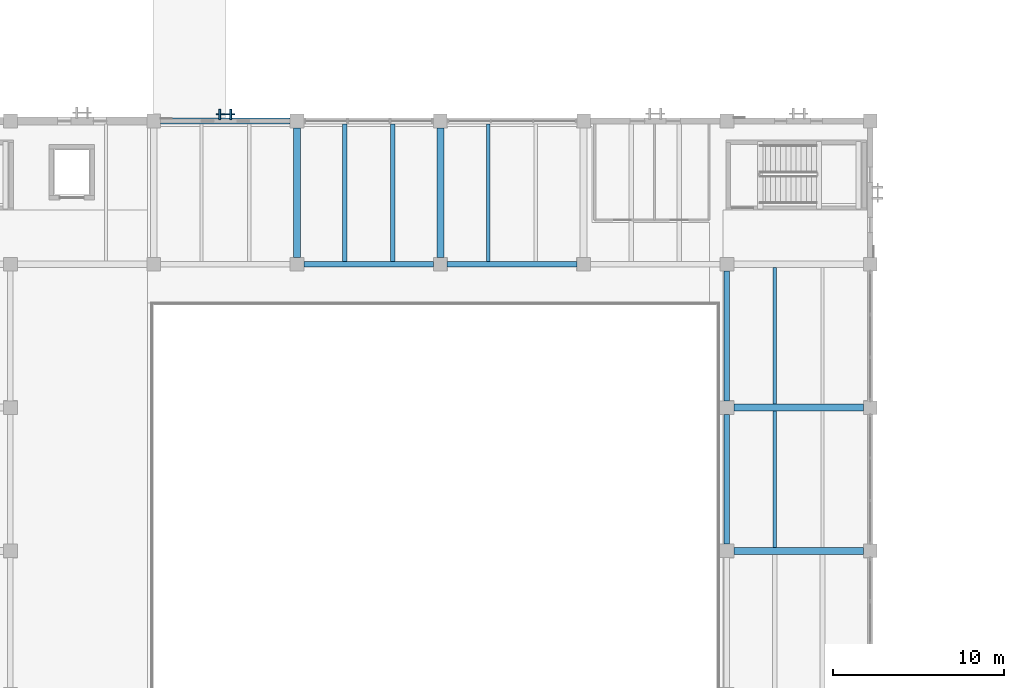
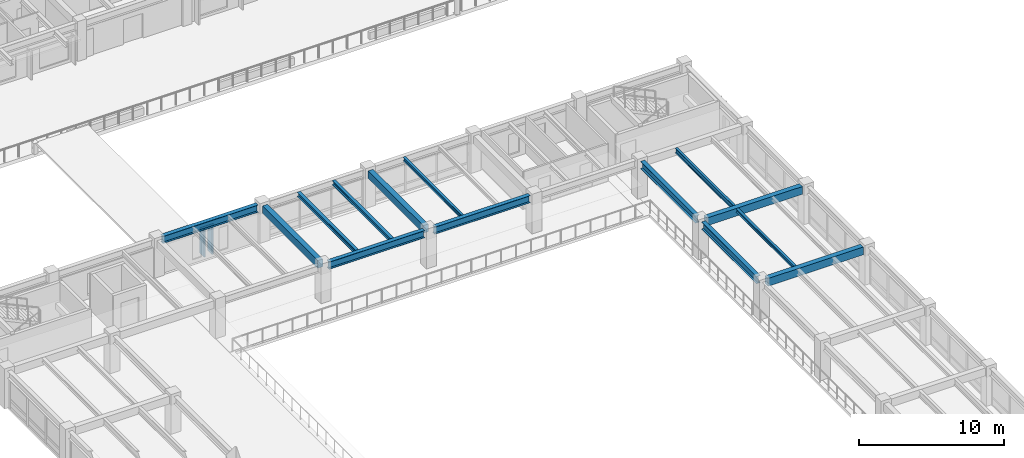
# One storey, part 11 of 111: 14 beams, 3 members, 1 element without a shape of its own.
"""IFC4 building model written with IfcOpenShell, lengths in metres."""

from ifc_helpers import new_model, si_unit, direction, frame, origin, origin_2d, place, context, subcontext, project, spatial, rectangle, i_section, extrude, material, material_profile, profile_set, type_object, element, aggregate, save


model = new_model("IFC4")

# Units and contexts
model_context = context("Model", 3, precision=1e-05, world=origin(), true_north=direction((0.0, 1.0)))
body_context = subcontext(model_context, "Body", "Model", "MODEL_VIEW")
ifc_project = project(units=[si_unit("LENGTHUNIT", "METRE"), si_unit("AREAUNIT", "SQUARE_METRE"), si_unit("VOLUMEUNIT", "CUBIC_METRE"), si_unit("PLANEANGLEUNIT", "RADIAN"), si_unit("MASSUNIT", "GRAM", prefix="KILO")], contexts=[model_context])

# Site, building, storey
site_placement = place(None, origin())
site = spatial("IfcSite", under=ifc_project, at=site_placement, CompositionType="ELEMENT")
building_placement = place(site_placement, origin())
building = spatial("IfcBuilding", under=site, at=building_placement, Name="Cumbredor Promenade Congress Hotel", CompositionType="ELEMENT")
storey_placement = place(building_placement, frame((0.0, 0.0, 15.1201171875)))
storey = spatial("IfcBuildingStorey", under=building, at=storey_placement, Name="L04", CompositionType="ELEMENT", Elevation=15.1201171875)

# Beams
ifc_material_1 = material(Name="Concrete C40/50", Category="concrete")
ifc_material_profile_1 = material_profile(ifc_material_1, rectangle(XDim=0.39990234375, YDim=0.64990234375, at=origin_2d()), Name="RC BEAM 400x650")
ifc_profile_set_1 = profile_set([ifc_material_profile_1], Name="Concrete C40/50")
beam_type_1 = type_object("IfcBeamType", Name="BM-RC-400x650", PredefinedType="BEAM", material=ifc_profile_set_1)
for number, where, z_axis, x_axis, name in (
    (1, (33.60009765625, 59.199951171875, 2.794921875), (0.0, 1.0, 0.0), (-1.0, 0.0, 0.0), "L05 Y-Grid Beam 058"),
    (2, (42.0, 59.199951171875, 2.794921875), (0.0, 1.0, 0.0), (-1.0, 0.0, 0.0), "L05 Y-Grid Beam 069"),
    (3, (59.199951171875, 42.0, 2.794921875), (1.0, 0.0, 0.0), (0.0, 1.0, 0.0), "L05 X-Grid Beam 096"),
    (4, (59.199951171875, 50.39990234375, 2.794921875), (1.0, 0.0, 0.0), (0.0, 1.0, 0.0), "L05 X-Grid Beam 098"),
):
    element("IfcBeam", number, at=place(storey_placement, frame(where, z_axis=z_axis, x_axis=x_axis)), inside=storey, type_object=beam_type_1, Name=name, PredefinedType="BEAM", context=body_context, shape_type="SweptSolid", body=[
        extrude(rectangle(XDim=0.39990234375, YDim=0.64990234375, at=origin_2d()), origin(), (0.0, 0.0, 1.0), 7.60009765625),
    ])
ifc_material_2 = material(Name="Steel ASTM A992 Grade 50", Category="steel")
ifc_material_profile_2 = material_profile(ifc_material_2, i_section(OverallWidth=0.323974609375, OverallDepth=0.611083984375, WebThickness=0.0126953125, FlangeThickness=0.01904296875, at=origin_2d()), Name="W24X104")
ifc_profile_set_2 = profile_set([ifc_material_profile_2], Name="Steel ASTM A992 Grade 50")
beam_type_2 = type_object("IfcBeamType", Name="BM-W24X104", PredefinedType="BEAM", material=ifc_profile_set_2)
beam_1_placement = place(storey_placement, frame((25.60009765625, 67.199951171875, 2.814453125), z_axis=(1.0, 0.0, 0.0), x_axis=(0.0, 1.0, 0.0)))
element("IfcBeam", 5, at=beam_1_placement, inside=storey, type_object=beam_type_2, Name="L05 X-Grid Beam 049", PredefinedType="BEAM", context=body_context, shape_type="SweptSolid", body=[
    extrude(i_section(OverallWidth=0.323974609375, OverallDepth=0.611083984375, WebThickness=0.0126953125, FlangeThickness=0.01904296875, at=origin_2d()), origin(), (0.0, 0.0, 1.0), 7.599853515625),
])
for number, where, z_axis, x_axis, name in (
    (6, (34.0, 58.800048828125, 2.814453125), (1.0, 0.0, 0.0), (0.0, 1.0, 0.0), "L05 X-Grid Beam 057"),
    (7, (42.39990234375, 58.800048828125, 2.814453125), (1.0, 0.0, 0.0), (0.0, 1.0, 0.0), "L05 X-Grid Beam 068"),
):
    element("IfcBeam", number, at=place(storey_placement, frame(where, z_axis=z_axis, x_axis=x_axis)), inside=storey, type_object=beam_type_2, Name=name, PredefinedType="BEAM", context=body_context, shape_type="SweptSolid", body=[
        extrude(i_section(OverallWidth=0.323974609375, OverallDepth=0.611083984375, WebThickness=0.0126953125, FlangeThickness=0.01904296875, at=origin_2d()), origin(), (0.0, 0.0, 1.0), 7.60009765625),
    ])

# Curtain wall, member
ifc_material_3 = material(Name="Thermally broken anodized aluminium and low-E glass", Category="aluminium")
curtain_wall_type = type_object("IfcCurtainWallType", Name="Solar Brise-Soleil Screen Assembly CW-07", PredefinedType="NOTDEFINED", material=ifc_material_3)
curtain_wall_placement = place(storey_placement, origin())
curtain_wall = element("IfcCurtainWall", 8, at=curtain_wall_placement, inside=storey, type_object=curtain_wall_type, Name="L04 Pier Brise-Soleil Screen 0715", PredefinedType="NOTDEFINED")
ifc_material_4 = material(Name="Thermally broken anodized aluminium", Category="aluminium")
ifc_material_profile_3 = material_profile(ifc_material_4, rectangle(XDim=0.06494140625, YDim=0.1298828125, at=origin_2d()), Name="ALU TRANSOM 65x130")
ifc_profile_set_3 = profile_set([ifc_material_profile_3], Name="Thermally broken anodized aluminium")
member_type_1 = type_object("IfcMemberType", Name="Curtain Wall Transom TR-01", PredefinedType="USERDEFINED", material=ifc_profile_set_3)
member_1_placement = place(storey_placement, frame((28.85009765625, 67.590087890625, 2.333984375), z_axis=(1.0, 0.0, 0.0), x_axis=(0.0, 1.0, 0.0)))
member_1 = element("IfcMember", 9, at=member_1_placement, type_object=member_type_1, Name="L04 Pier Brise-Soleil Header 0717", ObjectType="TRANSOM", PredefinedType="USERDEFINED", context=body_context, shape_type="SweptSolid", body=[
    extrude(rectangle(XDim=0.06494140625, YDim=0.1298828125, at=origin_2d()), origin(), (0.0, 0.0, 1.0), 1.099853515625),
])

# Beams
ifc_material_profile_4 = material_profile(ifc_material_2, i_section(OverallWidth=0.202880859375, OverallDepth=0.302978515625, WebThickness=0.007568359375, FlangeThickness=0.01318359375, at=origin_2d()), Name="W12X40")
ifc_profile_set_4 = profile_set([ifc_material_profile_4], Name="Steel ASTM A992 Grade 50")
beam_type_3 = type_object("IfcBeamType", Name="JST-W12X40", PredefinedType="JOIST", material=ifc_profile_set_4)
beam_2_placement = place(storey_placement, frame((44.800048828125, 58.9619140625, 2.96826171875), z_axis=(0.0, 1.0, 0.0), x_axis=(-1.0, 0.0, 0.0)))
element("IfcBeam", 10, at=beam_2_placement, inside=storey, type_object=beam_type_3, Name="L05 Secondary Floor Joist 0034", PredefinedType="JOIST", context=body_context, shape_type="SweptSolid", body=[
    extrude(i_section(OverallWidth=0.202880859375, OverallDepth=0.302978515625, WebThickness=0.007568359375, FlangeThickness=0.01318359375, at=origin_2d()), origin(), (0.0, 0.0, 1.0), 8.076171875),
])
beam_3_placement = place(storey_placement, frame((61.60009765625, 42.199951171875, 2.96826171875), z_axis=(0.0, 1.0, 0.0), x_axis=(-1.0, 0.0, 0.0)))
element("IfcBeam", 11, at=beam_3_placement, inside=storey, type_object=beam_type_3, Name="L05 Secondary Floor Joist 0054", PredefinedType="JOIST", context=body_context, shape_type="SweptSolid", body=[
    extrude(i_section(OverallWidth=0.202880859375, OverallDepth=0.302978515625, WebThickness=0.007568359375, FlangeThickness=0.01318359375, at=origin_2d()), origin(), (0.0, 0.0, 1.0), 8.0),
])
ifc_material_profile_5 = material_profile(ifc_material_2, i_section(OverallWidth=0.2548828125, OverallDepth=0.35693359375, WebThickness=0.010498046875, FlangeThickness=0.018310546875, at=origin_2d()), Name="W14X68")
ifc_profile_set_5 = profile_set([ifc_material_profile_5], Name="Steel ASTM A992 Grade 50")
beam_type_4 = type_object("IfcBeamType", Name="JST-W14X68", PredefinedType="JOIST", material=ifc_profile_set_5)
for number, where, z_axis, x_axis, name in (
    (12, (36.39990234375, 58.9619140625, 2.94140625), (0.0, 1.0, 0.0), (-1.0, 0.0, 0.0), "L05 Secondary Floor Joist 0030"),
    (13, (39.199951171875, 58.9619140625, 2.94140625), (0.0, 1.0, 0.0), (-1.0, 0.0, 0.0), "L05 Secondary Floor Joist 0031"),
):
    element("IfcBeam", number, at=place(storey_placement, frame(where, z_axis=z_axis, x_axis=x_axis)), inside=storey, type_object=beam_type_4, Name=name, PredefinedType="JOIST", context=body_context, shape_type="SweptSolid", body=[
        extrude(i_section(OverallWidth=0.2548828125, OverallDepth=0.35693359375, WebThickness=0.010498046875, FlangeThickness=0.018310546875, at=origin_2d()), origin(), (0.0, 0.0, 1.0), 8.076171875),
    ])
ifc_material_profile_6 = material_profile(ifc_material_2, i_section(OverallWidth=0.180908203125, OverallDepth=0.4169921875, WebThickness=0.010986328125, FlangeThickness=0.018310546875, at=origin_2d()), Name="W16X57")
ifc_profile_set_6 = profile_set([ifc_material_profile_6], Name="Steel ASTM A992 Grade 50")
beam_type_5 = type_object("IfcBeamType", Name="JST-W16X57", PredefinedType="JOIST", material=ifc_profile_set_6)
beam_4_placement = place(storey_placement, frame((61.60009765625, 50.60009765625, 2.911376953125), z_axis=(0.0, 1.0, 0.0), x_axis=(-1.0, 0.0, 0.0)))
element("IfcBeam", 14, at=beam_4_placement, inside=storey, type_object=beam_type_5, Name="L05 Secondary Floor Joist 0056", PredefinedType="JOIST", context=body_context, shape_type="SweptSolid", body=[
    extrude(i_section(OverallWidth=0.180908203125, OverallDepth=0.4169921875, WebThickness=0.010986328125, FlangeThickness=0.018310546875, at=origin_2d()), origin(), (0.0, 0.0, 1.0), 8.0),
])
ifc_material_profile_7 = material_profile(ifc_material_2, i_section(OverallWidth=0.323974609375, OverallDepth=0.611083984375, WebThickness=0.0126953125, FlangeThickness=0.01904296875, at=origin_2d()), Name="W24X104")
ifc_profile_set_7 = profile_set([ifc_material_profile_7], Name="Steel ASTM A992 Grade 50")
beam_type_6 = type_object("IfcBeamType", Name="SP-W24X104", PredefinedType="SPANDREL", material=ifc_profile_set_7)
beam_5_placement = place(storey_placement, frame((58.800048828125, 42.39990234375, 2.814453125), z_axis=(0.0, 1.0, 0.0), x_axis=(-1.0, 0.0, 0.0)))
element("IfcBeam", 15, at=beam_5_placement, inside=storey, type_object=beam_type_6, Name="L05 Y-Grid Beam 097", PredefinedType="SPANDREL", context=body_context, shape_type="SweptSolid", body=[
    extrude(i_section(OverallWidth=0.323974609375, OverallDepth=0.611083984375, WebThickness=0.0126953125, FlangeThickness=0.01904296875, at=origin_2d()), origin(), (0.0, 0.0, 1.0), 7.60009765625),
])
beam_6_placement = place(storey_placement, frame((58.800048828125, 50.800048828125, 2.814453125), z_axis=(0.0, 1.0, 0.0), x_axis=(-1.0, 0.0, 0.0)))
element("IfcBeam", 16, at=beam_6_placement, inside=storey, type_object=beam_type_6, Name="L05 Y-Grid Beam 099", PredefinedType="SPANDREL", context=body_context, shape_type="SweptSolid", body=[
    extrude(i_section(OverallWidth=0.323974609375, OverallDepth=0.611083984375, WebThickness=0.0126953125, FlangeThickness=0.01904296875, at=origin_2d()), origin(), (0.0, 0.0, 1.0), 7.599853515625),
])

# Member
ifc_material_profile_8 = material_profile(ifc_material_4, rectangle(XDim=0.110107421875, YDim=0.6201171875, at=origin_2d()), Name="ARCH FIN 110x620")
ifc_profile_set_8 = profile_set([ifc_material_profile_8], Name="Thermally broken anodized aluminium")
member_type_2 = type_object("IfcMemberType", Name="Vertical Bronze Brise-Soleil Fin BSF-02 110x620", PredefinedType="USERDEFINED", material=ifc_profile_set_8)
member_2_placement = place(storey_placement, frame((29.080078125, 67.590087890625, 0.019775390625), z_axis=(0.0, 0.0, 1.0), x_axis=(1.0, 0.0, 0.0)))
member_2 = element("IfcMember", 17, at=member_2_placement, type_object=member_type_2, Name="L04 Pier Brise-Soleil Fin 0716", ObjectType="SOLAR FIN", PredefinedType="USERDEFINED", context=body_context, shape_type="SweptSolid", body=[
    extrude(rectangle(XDim=0.110107421875, YDim=0.6201171875, at=origin_2d()), origin(), (0.0, 0.0, 1.0), 2.35400390625),
])

member_3_placement = place(storey_placement, frame((29.719970703125, 67.590087890625, 0.019775390625), z_axis=(0.0, 0.0, 1.0), x_axis=(1.0, 0.0, 0.0)))
member_3 = element("IfcMember", 18, at=member_3_placement, type_object=member_type_2, Name="L04 Pier Brise-Soleil Fin 0717", ObjectType="SOLAR FIN", PredefinedType="USERDEFINED", context=body_context, shape_type="SweptSolid", body=[
    extrude(rectangle(XDim=0.110107421875, YDim=0.6201171875, at=origin_2d()), origin(), (0.0, 0.0, 1.0), 2.35400390625),
])

aggregate(curtain_wall, [member_2, member_3, member_1])

save(model, "model.ifc")
